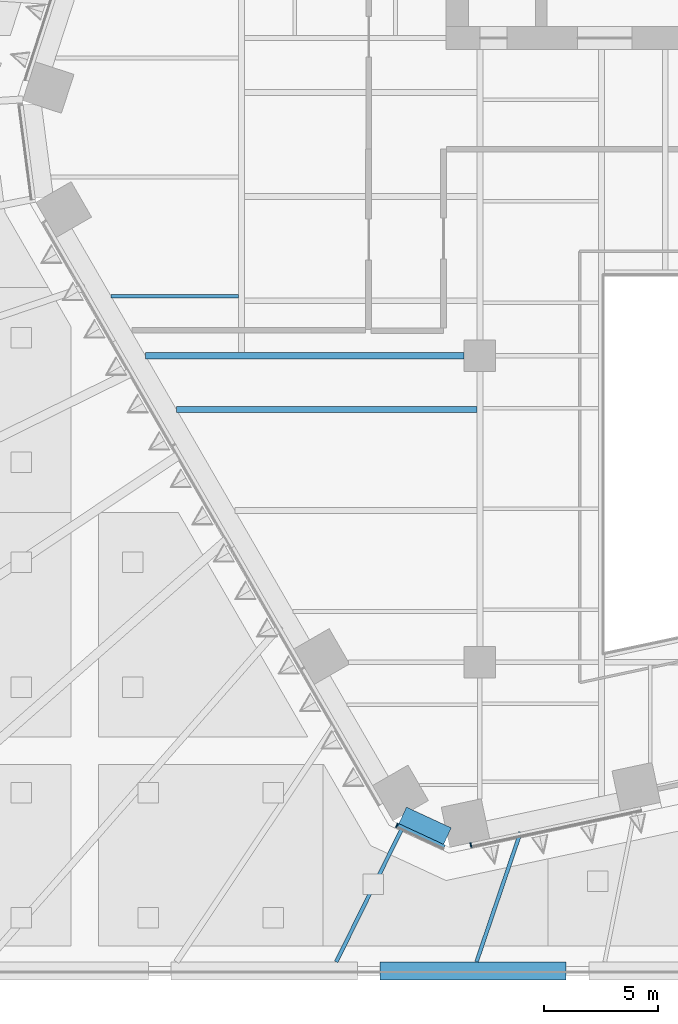
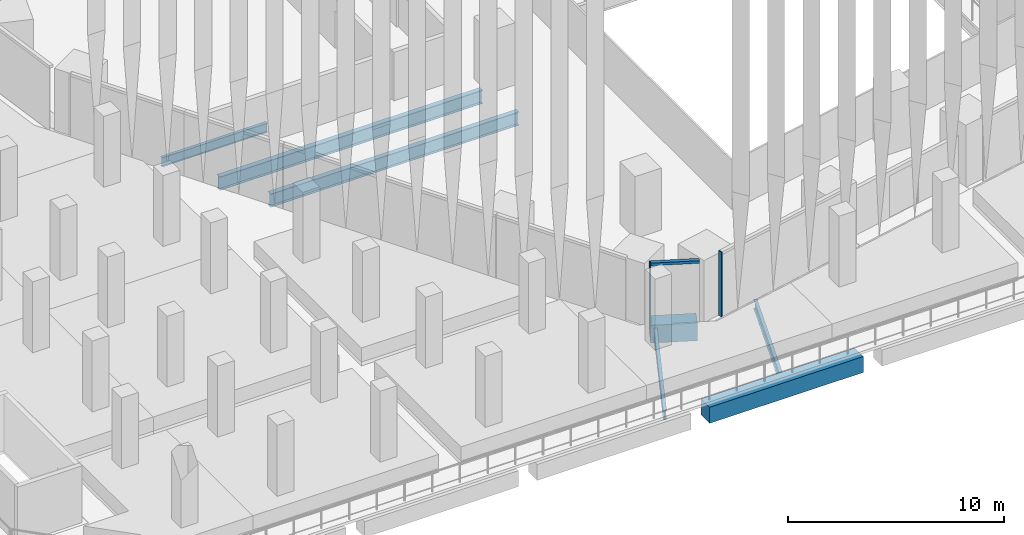
# One storey, part 3 of 51: 7 beams, 3 members, 2 elements without a shape of their own.
"""IFC4 building model written with IfcOpenShell, lengths in metres."""

from ifc_helpers import new_model, si_unit, direction, frame, origin, origin_2d, place, context, subcontext, project, spatial, rectangle, i_section, extrude, material, layer, layer_set, material_profile, profile_set, type_object, element, aggregate, save


model = new_model("IFC4")

# Units and contexts
model_context = context("Model", 3, precision=1e-05, world=origin(), true_north=direction((0.0, 1.0)))
body_context = subcontext(model_context, "Body", "Model", "MODEL_VIEW")
ifc_project = project(units=[si_unit("LENGTHUNIT", "METRE"), si_unit("AREAUNIT", "SQUARE_METRE"), si_unit("VOLUMEUNIT", "CUBIC_METRE"), si_unit("PLANEANGLEUNIT", "RADIAN"), si_unit("MASSUNIT", "GRAM", prefix="KILO")], contexts=[model_context])

# Site, building, storey
site_placement = place(None, origin())
site = spatial("IfcSite", under=ifc_project, at=site_placement, CompositionType="ELEMENT")
building_placement = place(site_placement, origin())
building = spatial("IfcBuilding", under=site, at=building_placement, Name="Isthmus Gate Tower", CompositionType="ELEMENT")
storey_placement = place(building_placement, frame((0.0, 0.0, 36.0)))
storey = spatial("IfcBuildingStorey", under=building, at=storey_placement, Name="L06", CompositionType="ELEMENT", Elevation=36.0)

# Curtain wall, member
ifc_material_1 = material(Name="Aluminium, pale champagne anodised", Category="aluminium")
ifc_layer = layer(ifc_material_1, 0.199951171875)
ifc_layer_set = layer_set([ifc_layer], Name="CW-1 UNITISED CURTAIN WALL 200 DEEP")
curtain_wall_type = type_object("IfcCurtainWallType", Name="CW-1 UNITISED CURTAIN WALL 200 DEEP", PredefinedType="NOTDEFINED", material=ifc_layer_set)
curtain_wall_1_placement = place(storey_placement, origin())
curtain_wall_1 = element("IfcCurtainWall", 1, at=curtain_wall_1_placement, inside=storey, type_object=curtain_wall_type, Name="CW-1 SW-S L06", PredefinedType="NOTDEFINED")
ifc_material_2 = material(Name="Aluminium, pale champagne anodised", Category="aluminium")
ifc_material_profile_1 = material_profile(ifc_material_2, rectangle(XDim=0.06005859375, YDim=0.199951171875, at=origin_2d()), Name="60x200")
ifc_profile_set_1 = profile_set([ifc_material_profile_1], Name="Aluminium, pale champagne anodised")
member_type_1 = type_object("IfcMemberType", Name="CW-1 MULLION 60 X 200", PredefinedType="MULLION", material=ifc_profile_set_1)
member_1_placement = place(storey_placement, frame((-17.14794921875, -34.184814453125, 0.0), z_axis=(0.0, 0.0, 1.0), x_axis=(0.907256261367, -0.420578264073, 0.0)))
member_1 = element("IfcMember", 2, at=member_1_placement, type_object=member_type_1, Name="CW-1 mullion", PredefinedType="MULLION", context=body_context, shape_type="SweptSolid", body=[
    extrude(rectangle(XDim=0.06005859375, YDim=0.199951171875, at=origin_2d()), origin(), (0.0, 0.0, 1.0), 3.64990234375),
])

curtain_wall_2_placement = place(storey_placement, origin())
curtain_wall_2 = element("IfcCurtainWall", 3, at=curtain_wall_2_placement, inside=storey, type_object=curtain_wall_type, Name="CW-1 S L06", PredefinedType="NOTDEFINED")
member_2_placement = place(storey_placement, frame((-13.89501953125, -35.0556640625, 0.0), z_axis=(0.0, 0.0, 1.0), x_axis=(0.978147600734, 0.207911690818, 0.0)))
member_2 = element("IfcMember", 4, at=member_2_placement, type_object=member_type_1, Name="CW-1 mullion", PredefinedType="MULLION", context=body_context, shape_type="SweptSolid", body=[
    extrude(rectangle(XDim=0.06005859375, YDim=0.199951171875, at=origin_2d()), origin(), (0.0, 0.0, 1.0), 3.64990234375),
])
aggregate(curtain_wall_2, [member_2])

# Member
ifc_material_3 = material(Name="Aluminium, pale champagne anodised", Category="aluminium")
ifc_material_profile_2 = material_profile(ifc_material_3, rectangle(XDim=0.199951171875, YDim=0.14990234375, at=origin_2d()), Name="200x150")
ifc_profile_set_2 = profile_set([ifc_material_profile_2], Name="Aluminium, pale champagne anodised")
member_type_2 = type_object("IfcMemberType", Name="CW-1 TRANSOM 200 X 150", PredefinedType="USERDEFINED", material=ifc_profile_set_2)
member_3_placement = place(storey_placement, frame((-17.120849609375, -34.197509765625, 3.574951171875), z_axis=(0.907246225564, -0.420599912268, 0.0), x_axis=(0.420599912268, 0.907246225564, 0.0)))
member_3 = element("IfcMember", 5, at=member_3_placement, type_object=member_type_2, Name="CW-1 transom", ObjectType="TRANSOM", PredefinedType="USERDEFINED", context=body_context, shape_type="SweptSolid", body=[
    extrude(rectangle(XDim=0.199951171875, YDim=0.14990234375, at=origin_2d()), origin(), (0.0, 0.0, 1.0), 2.258544921875),
])

aggregate(curtain_wall_1, [member_1, member_3])

# Beams
ifc_material_4 = material(Name="Concrete f'c 70 MPa", Category="concrete")
ifc_material_profile_3 = material_profile(ifc_material_4, rectangle(XDim=0.800048828125, YDim=0.89990234375, at=origin_2d()), Name="RC 800X900")
ifc_profile_set_3 = profile_set([ifc_material_profile_3], Name="Concrete f'c 70 MPa")
beam_type_1 = type_object("IfcBeamType", Name="RC EDGE BEAM 800 X 900", PredefinedType="BEAM", material=ifc_profile_set_3)
beam_1_placement = place(storey_placement, frame((-9.699951171875, -40.60009765625, -0.60009765625), z_axis=(-1.0, 0.0, 0.0), x_axis=(0.0, -1.0, 0.0)))
element("IfcBeam", 6, at=beam_1_placement, inside=storey, type_object=beam_type_1, Name="str-edgebeam-L06-34", PredefinedType="BEAM", context=body_context, shape_type="SweptSolid", body=[
    extrude(rectangle(XDim=0.800048828125, YDim=0.89990234375, at=origin_2d()), origin(), (0.0, 0.0, 1.0), 8.199951171875),
])
ifc_material_5 = material(Name="Concrete f'c 70 MPa", Category="concrete")
ifc_material_profile_4 = material_profile(ifc_material_5, rectangle(XDim=0.800048828125, YDim=1.0, at=origin_2d()), Name="RC 800X1000")
ifc_profile_set_4 = profile_set([ifc_material_profile_4], Name="Concrete f'c 70 MPa")
beam_type_2 = type_object("IfcBeamType", Name="RC SPANDREL 800 X 1000", PredefinedType="SPANDREL", material=ifc_profile_set_4)
beam_2_placement = place(storey_placement, frame((-14.929443359375, -34.662109375, -0.5), z_axis=(-0.907290744498, 0.420503870314, 0.0), x_axis=(-0.420503870314, -0.907290744498, 0.0)))
element("IfcBeam", 7, at=beam_2_placement, inside=storey, type_object=beam_type_2, Name="str-spandrel-L06-14", PredefinedType="SPANDREL", context=body_context, shape_type="SweptSolid", body=[
    extrude(rectangle(XDim=0.800048828125, YDim=1.0, at=origin_2d()), origin(), (0.0, 0.0, 1.0), 2.173095703125),
])
ifc_material_6 = material(Name="Structural steel ASTM A992 Gr 50", Category="steel")
ifc_material_profile_5 = material_profile(ifc_material_6, i_section(OverallWidth=0.1650390625, OverallDepth=0.52392578125, WebThickness=0.009521484375, FlangeThickness=0.010986328125, at=origin_2d()), Name="W21X44")
ifc_profile_set_5 = profile_set([ifc_material_profile_5], Name="Structural steel ASTM A992 Gr 50")
beam_type_3 = type_object("IfcBeamType", Name="STEEL FLOOR BEAM W21X44", PredefinedType="JOIST", material=ifc_profile_set_5)
beam_3_placement = place(storey_placement, frame((-29.748046875, -10.875, -0.411865234375), z_axis=(1.0, 0.0, 0.0), x_axis=(0.0, 1.0, 0.0)))
element("IfcBeam", 8, at=beam_3_placement, inside=storey, type_object=beam_type_3, Name="str-beam-L06-00-00", PredefinedType="JOIST", context=body_context, shape_type="SweptSolid", body=[
    extrude(i_section(OverallWidth=0.1650390625, OverallDepth=0.52392578125, WebThickness=0.009521484375, FlangeThickness=0.010986328125, at=origin_2d()), origin(), (0.0, 0.0, 1.0), 5.61474609375),
])
ifc_material_7 = material(Name="Structural steel ASTM A992 Gr 50", Category="steel")
ifc_material_profile_6 = material_profile(ifc_material_7, i_section(OverallWidth=0.263427734375, OverallDepth=0.749267578125, WebThickness=0.0126953125, FlangeThickness=0.015869140625, at=origin_2d()), Name="W30X90")
ifc_profile_set_6 = profile_set([ifc_material_profile_6], Name="Structural steel ASTM A992 Gr 50")
beam_type_4 = type_object("IfcBeamType", Name="STEEL FLOOR BEAM W30X90", PredefinedType="JOIST", material=ifc_profile_set_6)
beam_4_placement = place(storey_placement, frame((-26.869140625, -15.861083984375, -0.524658203125), z_axis=(1.0, 0.0, 0.0), x_axis=(0.0, 1.0, 0.0)))
element("IfcBeam", 9, at=beam_4_placement, inside=storey, type_object=beam_type_4, Name="str-beam-L06-05-02", PredefinedType="JOIST", context=body_context, shape_type="SweptSolid", body=[
    extrude(i_section(OverallWidth=0.263427734375, OverallDepth=0.749267578125, WebThickness=0.0126953125, FlangeThickness=0.015869140625, at=origin_2d()), origin(), (0.0, 0.0, 1.0), 13.2373046875),
])
ifc_material_8 = material(Name="Structural steel ASTM A992 Gr 50", Category="steel")
ifc_material_profile_7 = material_profile(ifc_material_8, i_section(OverallWidth=0.2666015625, OverallDepth=0.7587890625, WebThickness=0.014404296875, FlangeThickness=0.01904296875, at=origin_2d()), Name="W30X108")
ifc_profile_set_7 = profile_set([ifc_material_profile_7], Name="Structural steel ASTM A992 Gr 50")
beam_type_5 = type_object("IfcBeamType", Name="STEEL GIRDER W30X108", PredefinedType="BEAM", material=ifc_profile_set_7)
beam_5_placement = place(storey_placement, frame((-28.232421875, -13.5, -0.529296875), z_axis=(1.0, 0.0, 0.0), x_axis=(0.0, 1.0, 0.0)))
element("IfcBeam", 10, at=beam_5_placement, inside=storey, type_object=beam_type_5, Name="str-girder-L06-05", PredefinedType="BEAM", context=body_context, shape_type="SweptSolid", body=[
    extrude(i_section(OverallWidth=0.2666015625, OverallDepth=0.7587890625, WebThickness=0.014404296875, FlangeThickness=0.01904296875, at=origin_2d()), origin(), (0.0, 0.0, 1.0), 14.032470703125),
])
ifc_material_9 = material(Name="Structural steel ASTM A992 Gr 50", Category="steel")
ifc_material_profile_8 = material_profile(ifc_material_9, i_section(OverallWidth=0.1650390625, OverallDepth=0.52392578125, WebThickness=0.009521484375, FlangeThickness=0.010986328125, at=origin_2d()), Name="W21X44")
ifc_profile_set_8 = profile_set([ifc_material_profile_8], Name="Structural steel ASTM A992 Gr 50")
beam_type_6 = type_object("IfcBeamType", Name="STEEL LEDGE BEAM W21X44", PredefinedType="JOIST", material=ifc_profile_set_8)
beam_6_placement = place(storey_placement, frame((-16.867919921875, -34.20458984375, -0.411865234375), z_axis=(-0.442283630571, -0.896875236657, 0.0), x_axis=(0.896875236657, -0.442283630571, 0.0)))
element("IfcBeam", 11, at=beam_6_placement, inside=storey, type_object=beam_type_6, Name="str-ringbeam-L06-00-33", PredefinedType="JOIST", context=body_context, shape_type="SweptSolid", body=[
    extrude(i_section(OverallWidth=0.1650390625, OverallDepth=0.52392578125, WebThickness=0.009521484375, FlangeThickness=0.010986328125, at=origin_2d()), origin(), (0.0, 0.0, 1.0), 6.684814453125),
])
beam_7_placement = place(storey_placement, frame((-11.707275390625, -34.488525390625, -0.411865234375), z_axis=(-0.321432462775, -0.946932506504, 0.0), x_axis=(0.946932506504, -0.321432462775, 0.0)))
element("IfcBeam", 12, at=beam_7_placement, inside=storey, type_object=beam_type_6, Name="str-ringbeam-L06-00-34", PredefinedType="JOIST", context=body_context, shape_type="SweptSolid", body=[
    extrude(i_section(OverallWidth=0.1650390625, OverallDepth=0.52392578125, WebThickness=0.009521484375, FlangeThickness=0.010986328125, at=origin_2d()), origin(), (0.0, 0.0, 1.0), 6.031494140625),
])

save(model, "model.ifc")
